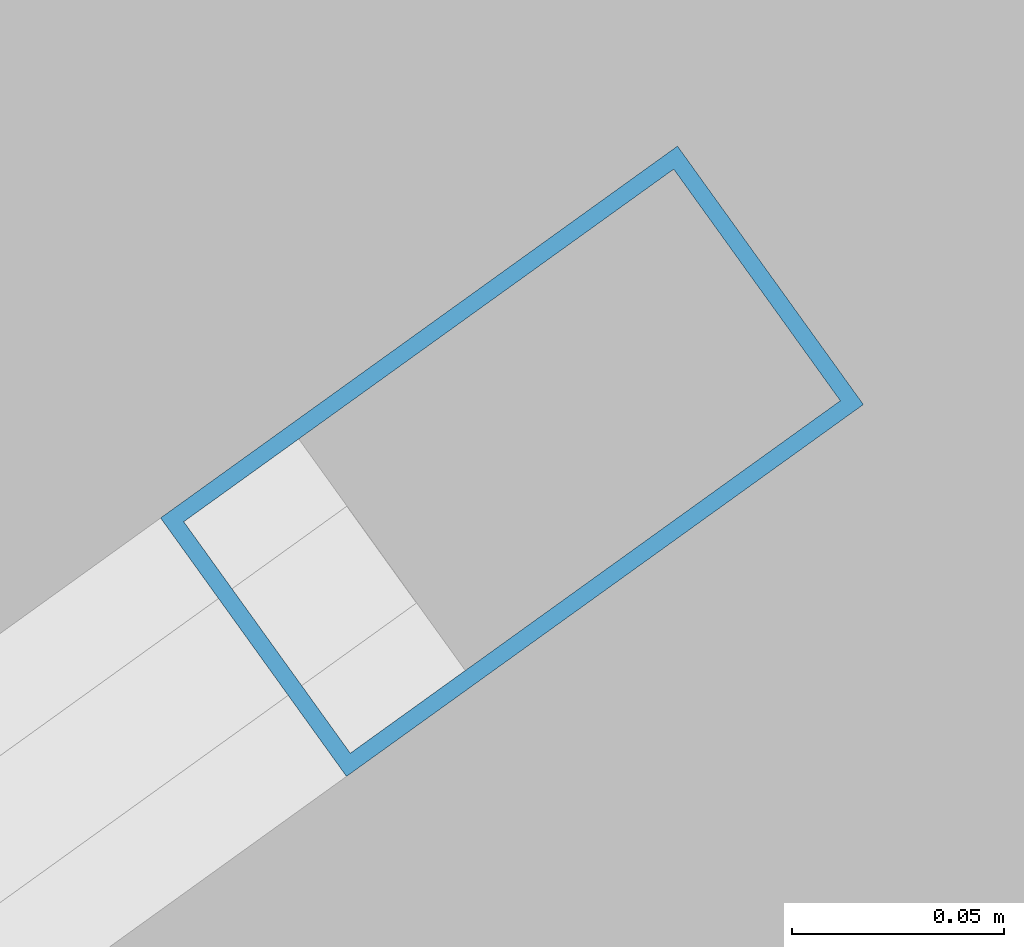
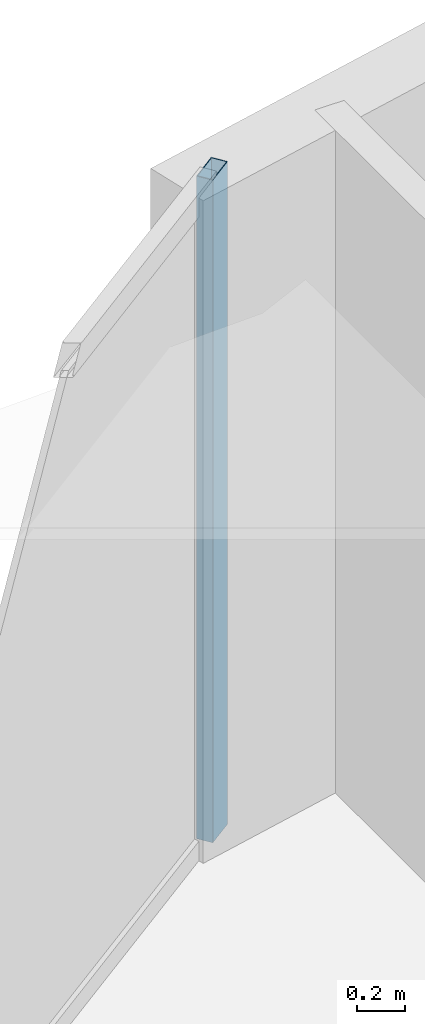
# One storey, part 19 of 30: 1 member, 1 element without a shape of its own.
"""IFC4 building model written with IfcOpenShell, lengths in metres."""

from ifc_helpers import new_model, si_unit, direction, frame, origin, origin_2d, place, context, subcontext, project, spatial, hollow_rectangle, extrude, material, layer, layer_set, material_profile, profile_set, type_object, element, aggregate, save


model = new_model("IFC4")

# Units and contexts
model_context = context("Model", 3, precision=1e-05, world=origin(), true_north=direction((0.0, 1.0)))
body_context = subcontext(model_context, "Body", "Model", "MODEL_VIEW")
ifc_project = project(units=[si_unit("LENGTHUNIT", "METRE"), si_unit("AREAUNIT", "SQUARE_METRE"), si_unit("VOLUMEUNIT", "CUBIC_METRE"), si_unit("PLANEANGLEUNIT", "RADIAN"), si_unit("MASSUNIT", "GRAM", prefix="KILO")], contexts=[model_context])

# Site, building, storey
site_placement = place(None, origin())
site = spatial("IfcSite", under=ifc_project, at=site_placement, CompositionType="ELEMENT")
building_placement = place(site_placement, origin())
building = spatial("IfcBuilding", under=site, at=building_placement, Name="Kazevale Care Tower and Concert Hall", CompositionType="ELEMENT")
storey_placement = place(building_placement, frame((0.0, 0.0, 70.800048828125)))
storey = spatial("IfcBuildingStorey", under=building, at=storey_placement, Name="L18", CompositionType="ELEMENT", Elevation=70.800048828125)

# Curtain wall, member
ifc_material_1 = material(Name="Aluminium 6063-T6 and Low-E Glass", Category="aluminium")
ifc_layer = layer(ifc_material_1, 0.179931640625)
ifc_layer_set = layer_set([ifc_layer], Name="Aluminium 6063-T6 and Low-E Glass")
curtain_wall_type = type_object("IfcCurtainWallType", Name="Convex Recessed Sunroom Curtain Wall CW-3", PredefinedType="NOTDEFINED", material=ifc_layer_set)
curtain_wall_placement = place(storey_placement, origin())
curtain_wall = element("IfcCurtainWall", 1, at=curtain_wall_placement, inside=storey, type_object=curtain_wall_type, Name="cw:L18:f14", PredefinedType="NOTDEFINED")
ifc_material_2 = material(Name="Aluminium 6063-T6", Category="aluminium")
ifc_material_profile = material_profile(ifc_material_2, hollow_rectangle(XDim=0.074951171875, YDim=0.14990234375, WallThickness=0.00390625, at=origin_2d()), Name="ALU75x150x4")
ifc_profile_set = profile_set([ifc_material_profile], Name="Aluminium 6063-T6")
member_type = type_object("IfcMemberType", Name="CW-3 Mullion ALU75x150x4", PredefinedType="MULLION", material=ifc_profile_set)
member_placement = place(storey_placement, frame((27.34765625, 60.153076171875, 0.0), z_axis=(0.0, 0.0, 1.0), x_axis=(-0.583994227391, 0.811757810171, 0.0)))
member = element("IfcMember", 2, at=member_placement, type_object=member_type, Name="CW-3 mullion 2", PredefinedType="MULLION", context=body_context, shape_type="SweptSolid", body=[
    extrude(hollow_rectangle(XDim=0.074951171875, YDim=0.14990234375, WallThickness=0.00390625, at=origin_2d()), origin(), (0.0, 0.0, 1.0), 3.35986328125),
])
aggregate(curtain_wall, [member])

save(model, "model.ifc")
